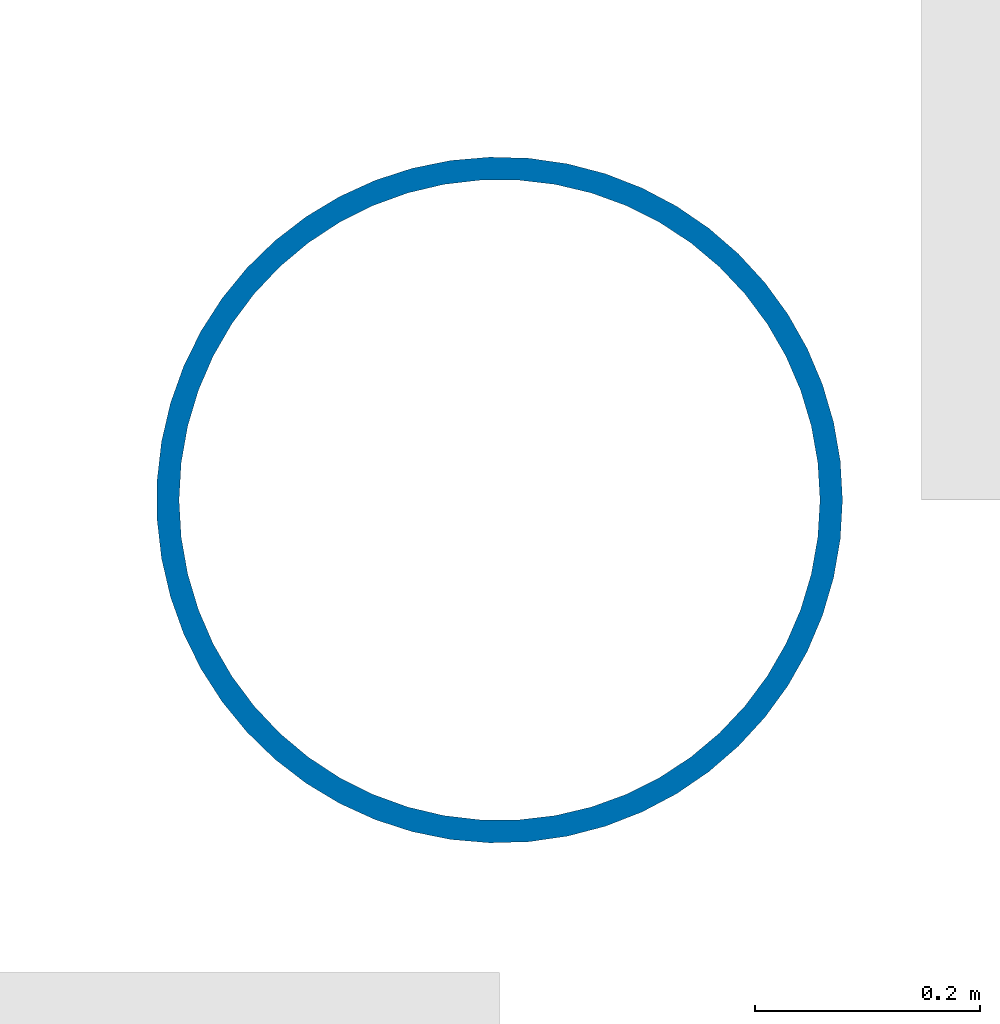
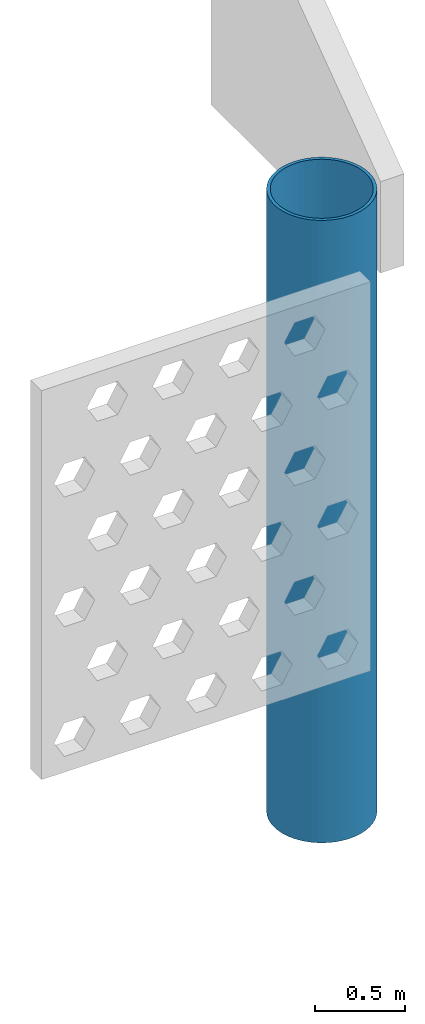
# One storey, part 14 of 123: 1 column.
"""IFC4 building model written with IfcOpenShell, lengths in metres."""

from ifc_helpers import new_model, si_unit, direction, frame, origin, origin_2d, place, context, subcontext, project, spatial, hollow_circle, extrude, material, material_profile, profile_set, type_object, element, save


model = new_model("IFC4")

# Units and contexts
model_context = context("Model", 3, precision=1e-05, world=origin(), true_north=direction((0.0, 1.0)))
body_context = subcontext(model_context, "Body", "Model", "MODEL_VIEW")
ifc_project = project(units=[si_unit("LENGTHUNIT", "METRE"), si_unit("AREAUNIT", "SQUARE_METRE"), si_unit("VOLUMEUNIT", "CUBIC_METRE"), si_unit("PLANEANGLEUNIT", "RADIAN"), si_unit("MASSUNIT", "GRAM", prefix="KILO")], contexts=[model_context])

# Site, building, storey
site_placement = place(None, origin())
site = spatial("IfcSite", under=ifc_project, at=site_placement, CompositionType="ELEMENT")
building_placement = place(site_placement, origin())
building = spatial("IfcBuilding", under=site, at=building_placement, Name="Baradari Gate Terminus", CompositionType="ELEMENT")
storey_placement = place(building_placement, frame((0.0, 0.0, 7.5)))
storey = spatial("IfcBuildingStorey", under=building, at=storey_placement, Name="L01", CompositionType="ELEMENT", Elevation=7.5)

# Column
ifc_material = material(Name="Steel S355", Category="steel")
ifc_material_profile = material_profile(ifc_material, hollow_circle(Radius=0.304931640625, WallThickness=0.02001953125, at=origin_2d()), Name="CHS 610x20")
ifc_profile_set = profile_set([ifc_material_profile], Name="Steel S355")
column_type = type_object("IfcColumnType", Name="Braced shed column C09 CHS 610x20", PredefinedType="COLUMN", material=ifc_profile_set)
column_placement = place(storey_placement, frame((243.0, 36.0, 0.0), z_axis=(0.0, 0.0, 1.0), x_axis=(1.0, 0.0, 0.0)))
element("IfcColumn", 1, at=column_placement, inside=storey, type_object=column_type, Name="C09 column 28-E L01", PredefinedType="COLUMN", context=body_context, shape_type="SweptSolid", body=[
    extrude(hollow_circle(Radius=0.304931640625, WallThickness=0.02001953125, at=origin_2d()), origin(), (0.0, 0.0, 1.0), 4.199951171875),
])

save(model, "model.ifc")
